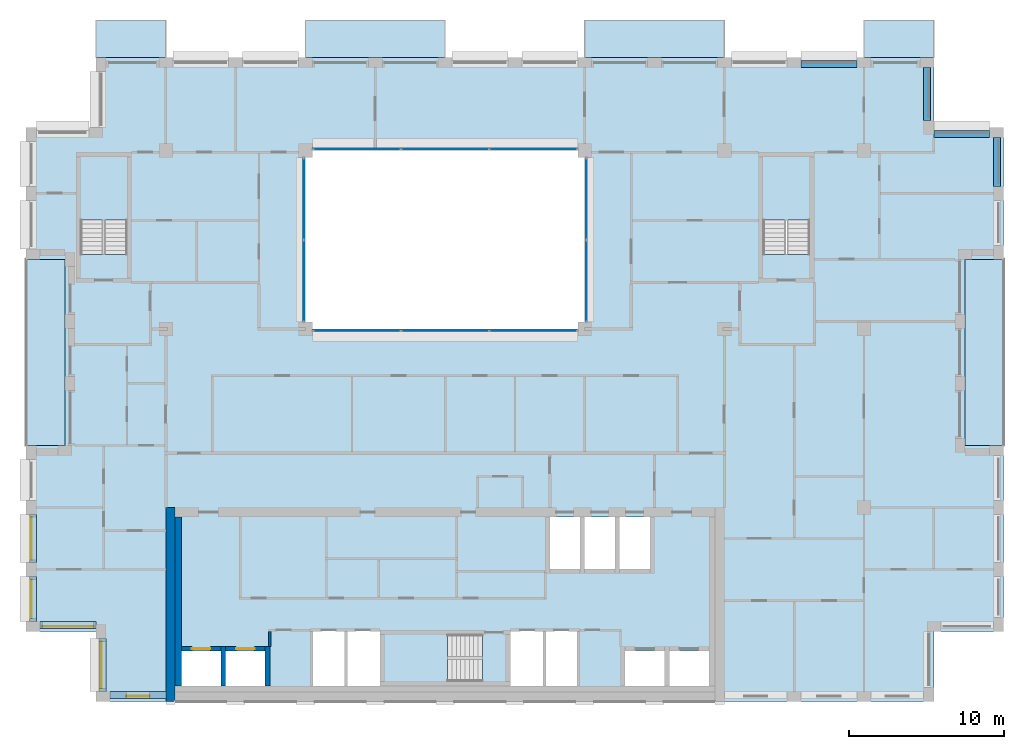
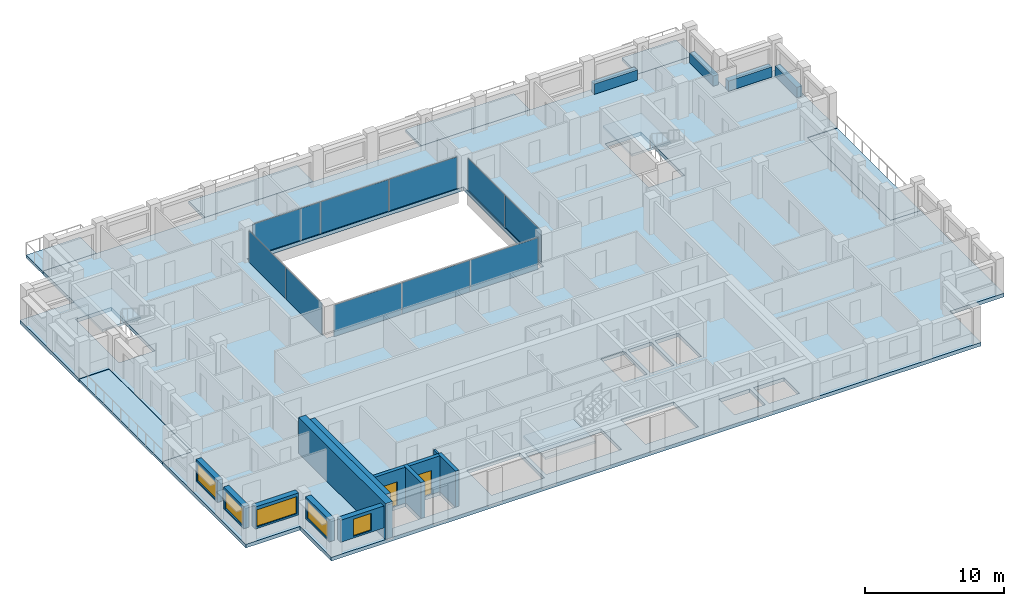
# One storey, part 7 of 15: 12 walls, 10 plates, 10 slabs, 5 windows, 4 beams, 2 doors, 7 openings, 7 elements without a shape of their own.
"""IFC4 building model written with IfcOpenShell, lengths in metres."""

from ifc_helpers import new_model, si_unit, direction, frame, frame_2d, origin, origin_2d, place, context, subcontext, project, spatial, polyline, rectangle, outline, extrude, material, layer, layer_set, material_profile, profile_set, type_object, element, fill, aggregate, save


model = new_model("IFC4")

# Units and contexts
model_context = context("Model", 3, precision=1e-05, world=origin(), true_north=direction((0.0, 1.0)))
body_context = subcontext(model_context, "Body", "Model", "MODEL_VIEW")
ifc_project = project(units=[si_unit("LENGTHUNIT", "METRE"), si_unit("AREAUNIT", "SQUARE_METRE"), si_unit("VOLUMEUNIT", "CUBIC_METRE"), si_unit("PLANEANGLEUNIT", "RADIAN"), si_unit("MASSUNIT", "GRAM", prefix="KILO")], contexts=[model_context])

# Site, building, storey
site_placement = place(None, origin())
site = spatial("IfcSite", under=ifc_project, at=site_placement, CompositionType="ELEMENT")
building_placement = place(site_placement, origin())
building = spatial("IfcBuilding", under=site, at=building_placement, Name="Brigalow Station Residences", CompositionType="ELEMENT")
storey_placement = place(building_placement, frame((0.0, 0.0, 226.35009765625)))
storey = spatial("IfcBuildingStorey", under=building, at=storey_placement, Name="L65", CompositionType="ELEMENT", Elevation=226.35009765625)

# Beams
ifc_material_1 = material(Name="Concrete C50", Category="concrete")
ifc_material_profile = material_profile(ifc_material_1, rectangle(XDim=0.449951171875, YDim=0.89990234375, at=origin_2d()), Name="RC450x900")
ifc_profile_set = profile_set([ifc_material_profile], Name="Concrete C50")
beam_type = type_object("IfcBeamType", Name="SPANDREL BEAM 450x900 C50", PredefinedType="SPANDREL", material=ifc_profile_set)
beam_1_placement = place(storey_placement, frame((71.574951171875, 33.199951171875, 0.449951171875), z_axis=(0.0, 1.0, 0.0), x_axis=(-1.0, 0.0, 0.0)))
element("IfcBeam", 1, at=beam_1_placement, inside=storey, type_object=beam_type, Name="L65/spandrel/W-L65-17", PredefinedType="SPANDREL", context=body_context, shape_type="SweptSolid", body=[
    extrude(rectangle(XDim=0.449951171875, YDim=0.89990234375, at=origin_2d()), origin(), (0.0, 0.0, 1.0), 3.150146484375),
])
beam_2_placement = place(storey_placement, frame((71.10009765625, 36.574951171875, 0.449951171875), z_axis=(-1.0, 0.0, 0.0), x_axis=(0.0, -1.0, 0.0)))
element("IfcBeam", 2, at=beam_2_placement, inside=storey, type_object=beam_type, Name="L65/spandrel/W-L65-18", PredefinedType="SPANDREL", context=body_context, shape_type="SweptSolid", body=[
    extrude(rectangle(XDim=0.449951171875, YDim=0.89990234375, at=origin_2d()), origin(), (0.0, 0.0, 1.0), 3.60009765625),
])
beam_3_placement = place(storey_placement, frame((67.074951171875, 37.449951171875, 0.449951171875), z_axis=(0.0, 1.0, 0.0), x_axis=(-1.0, 0.0, 0.0)))
element("IfcBeam", 3, at=beam_3_placement, inside=storey, type_object=beam_type, Name="L65/spandrel/W-L65-19", PredefinedType="SPANDREL", context=body_context, shape_type="SweptSolid", body=[
    extrude(rectangle(XDim=0.449951171875, YDim=0.89990234375, at=origin_2d()), origin(), (0.0, 0.0, 1.0), 3.400146484375),
])
beam_4_placement = place(storey_placement, frame((62.550048828125, 41.074951171875, 0.449951171875), z_axis=(-1.0, 0.0, 0.0), x_axis=(0.0, -1.0, 0.0)))
element("IfcBeam", 4, at=beam_4_placement, inside=storey, type_object=beam_type, Name="L65/spandrel/W-L65-21", PredefinedType="SPANDREL", context=body_context, shape_type="SweptSolid", body=[
    extrude(rectangle(XDim=0.449951171875, YDim=0.89990234375, at=origin_2d()), origin(), (0.0, 0.0, 1.0), 3.60009765625),
])

# Curtain wall, plates
ifc_material_2 = material(Name="Aluminium", Category="aluminium")
ifc_layer_1 = layer(ifc_material_2, 0.14990234375)
ifc_layer_set_1 = layer_set([ifc_layer_1], Name="ATRIUM FIRE-RATED GLAZING CURTAIN WALL")
curtain_wall_type = type_object("IfcCurtainWallType", Name="ATRIUM FIRE-RATED GLAZING CURTAIN WALL", PredefinedType="NOTDEFINED", material=ifc_layer_set_1)
curtain_wall_1_placement = place(storey_placement, origin())
curtain_wall_1 = element("IfcCurtainWall", 5, at=curtain_wall_1_placement, inside=storey, type_object=curtain_wall_type, Name="L65/cw/atrium-S", PredefinedType="NOTDEFINED")
ifc_material_3 = material(Name="Fire-resisting laminated glazing, FRL -/60/-", Category="glass")
ifc_layer_2 = layer(ifc_material_3, 0.031982421875)
ifc_layer_set_2 = layer_set([ifc_layer_2], Name="ATRIUM FIRE-RATED GLAZING PANEL 32")
plate_type = type_object("IfcPlateType", Name="ATRIUM FIRE-RATED GLAZING PANEL 32", PredefinedType="CURTAIN_PANEL", material=ifc_layer_set_2)
plate_1_placement = place(storey_placement, frame((30.31494140625, 23.89990234375, 0.0), z_axis=(0.0, 0.0, 1.0), x_axis=(1.0, 0.0, 0.0)))
plate_1 = element("IfcPlate", 6, at=plate_1_placement, type_object=plate_type, Name="L65/cw/atrium-S/P00-00", PredefinedType="CURTAIN_PANEL", context=body_context, shape_type="SweptSolid", body=[
    extrude(rectangle(XDim=5.610107421875, YDim=0.031982421875, at=origin_2d()), origin(), (0.0, 0.0, 1.0), 2.77001953125),
])
plate_2_placement = place(storey_placement, frame((36.0, 23.89990234375, 0.0), z_axis=(0.0, 0.0, 1.0), x_axis=(1.0, 0.0, 0.0)))
plate_2 = element("IfcPlate", 7, at=plate_2_placement, type_object=plate_type, Name="L65/cw/atrium-S/P01-00", PredefinedType="CURTAIN_PANEL", context=body_context, shape_type="SweptSolid", body=[
    extrude(rectangle(XDim=5.639892578125, YDim=0.031982421875, at=origin_2d()), origin(), (0.0, 0.0, 1.0), 2.77001953125),
])
plate_3_placement = place(storey_placement, frame((41.68505859375, 23.89990234375, 0.0), z_axis=(0.0, 0.0, 1.0), x_axis=(1.0, 0.0, 0.0)))
plate_3 = element("IfcPlate", 8, at=plate_3_placement, type_object=plate_type, Name="L65/cw/atrium-S/P02-00", PredefinedType="CURTAIN_PANEL", context=body_context, shape_type="SweptSolid", body=[
    extrude(rectangle(XDim=5.610107421875, YDim=0.031982421875, at=origin_2d()), origin(), (0.0, 0.0, 1.0), 2.77001953125),
])
aggregate(curtain_wall_1, [plate_1, plate_2, plate_3])

curtain_wall_2_placement = place(storey_placement, origin())
curtain_wall_2 = element("IfcCurtainWall", 9, at=curtain_wall_2_placement, inside=storey, type_object=curtain_wall_type, Name="L65/cw/atrium-E", PredefinedType="NOTDEFINED")
plate_4_placement = place(storey_placement, frame((45.10009765625, 27.114990234375, 0.0), z_axis=(0.0, 0.0, 1.0), x_axis=(0.0, 1.0, 0.0)))
plate_4 = element("IfcPlate", 10, at=plate_4_placement, type_object=plate_type, Name="L65/cw/atrium-E/P00-00", PredefinedType="CURTAIN_PANEL", context=body_context, shape_type="SweptSolid", body=[
    extrude(rectangle(XDim=5.2099609375, YDim=0.031982421875, at=origin_2d()), origin(), (0.0, 0.0, 1.0), 2.77001953125),
])
plate_5_placement = place(storey_placement, frame((45.10009765625, 32.385009765625, 0.0), z_axis=(0.0, 0.0, 1.0), x_axis=(0.0, 1.0, 0.0)))
plate_5 = element("IfcPlate", 11, at=plate_5_placement, type_object=plate_type, Name="L65/cw/atrium-E/P01-00", PredefinedType="CURTAIN_PANEL", context=body_context, shape_type="SweptSolid", body=[
    extrude(rectangle(XDim=5.2099609375, YDim=0.031982421875, at=origin_2d()), origin(), (0.0, 0.0, 1.0), 2.77001953125),
])
aggregate(curtain_wall_2, [plate_4, plate_5])

curtain_wall_3_placement = place(storey_placement, origin())
curtain_wall_3 = element("IfcCurtainWall", 12, at=curtain_wall_3_placement, inside=storey, type_object=curtain_wall_type, Name="L65/cw/atrium-N", PredefinedType="NOTDEFINED")
plate_6_placement = place(storey_placement, frame((41.68505859375, 35.60009765625, 0.0), z_axis=(0.0, 0.0, 1.0), x_axis=(-1.0, 0.0, 0.0)))
plate_6 = element("IfcPlate", 13, at=plate_6_placement, type_object=plate_type, Name="L65/cw/atrium-N/P00-00", PredefinedType="CURTAIN_PANEL", context=body_context, shape_type="SweptSolid", body=[
    extrude(rectangle(XDim=5.610107421875, YDim=0.031982421875, at=origin_2d()), origin(), (0.0, 0.0, 1.0), 2.77001953125),
])
plate_7_placement = place(storey_placement, frame((36.0, 35.60009765625, 0.0), z_axis=(0.0, 0.0, 1.0), x_axis=(-1.0, 0.0, 0.0)))
plate_7 = element("IfcPlate", 14, at=plate_7_placement, type_object=plate_type, Name="L65/cw/atrium-N/P01-00", PredefinedType="CURTAIN_PANEL", context=body_context, shape_type="SweptSolid", body=[
    extrude(rectangle(XDim=5.639892578125, YDim=0.031982421875, at=origin_2d()), origin(), (0.0, 0.0, 1.0), 2.77001953125),
])
plate_8_placement = place(storey_placement, frame((30.31494140625, 35.60009765625, 0.0), z_axis=(0.0, 0.0, 1.0), x_axis=(-1.0, 0.0, 0.0)))
plate_8 = element("IfcPlate", 15, at=plate_8_placement, type_object=plate_type, Name="L65/cw/atrium-N/P02-00", PredefinedType="CURTAIN_PANEL", context=body_context, shape_type="SweptSolid", body=[
    extrude(rectangle(XDim=5.610107421875, YDim=0.031982421875, at=origin_2d()), origin(), (0.0, 0.0, 1.0), 2.77001953125),
])
aggregate(curtain_wall_3, [plate_6, plate_7, plate_8])

curtain_wall_4_placement = place(storey_placement, origin())
curtain_wall_4 = element("IfcCurtainWall", 16, at=curtain_wall_4_placement, inside=storey, type_object=curtain_wall_type, Name="L65/cw/atrium-W", PredefinedType="NOTDEFINED")
plate_9_placement = place(storey_placement, frame((26.89990234375, 32.385009765625, 0.0), z_axis=(0.0, 0.0, 1.0), x_axis=(0.0, -1.0, 0.0)))
plate_9 = element("IfcPlate", 17, at=plate_9_placement, type_object=plate_type, Name="L65/cw/atrium-W/P00-00", PredefinedType="CURTAIN_PANEL", context=body_context, shape_type="SweptSolid", body=[
    extrude(rectangle(XDim=5.2099609375, YDim=0.031982421875, at=origin_2d()), origin(), (0.0, 0.0, 1.0), 2.77001953125),
])
plate_10_placement = place(storey_placement, frame((26.89990234375, 27.114990234375, 0.0), z_axis=(0.0, 0.0, 1.0), x_axis=(0.0, -1.0, 0.0)))
plate_10 = element("IfcPlate", 18, at=plate_10_placement, type_object=plate_type, Name="L65/cw/atrium-W/P01-00", PredefinedType="CURTAIN_PANEL", context=body_context, shape_type="SweptSolid", body=[
    extrude(rectangle(XDim=5.2099609375, YDim=0.031982421875, at=origin_2d()), origin(), (0.0, 0.0, 1.0), 2.77001953125),
])
aggregate(curtain_wall_4, [plate_9, plate_10])

# Slabs
ifc_material_4 = material(Name="Concrete C50 precast", Category="concrete")
ifc_layer_3 = layer(ifc_material_4, 0.25)
ifc_layer_set_3 = layer_set([ifc_layer_3], Name="BALCONY SLAB 250")
slab_type_1 = type_object("IfcSlabType", Name="BALCONY SLAB 250", PredefinedType="USERDEFINED", material=ifc_layer_set_3)
slab_1_placement = place(storey_placement, frame((0.0, 0.0, -0.2900390625)))
element("IfcSlab", 19, at=slab_1_placement, inside=storey, type_object=slab_type_1, Name="L65/balcony/1", ObjectType="BALCONY", PredefinedType="USERDEFINED", context=body_context, shape_type="SweptSolid", body=[
    extrude(outline(polyline([(69.5, 16.5), (72.0, 16.5), (72.0, 28.5), (69.5, 28.5), (69.5, 16.5)])), origin(), (0.0, 0.0, 1.0), 0.25),
])
slab_2_placement = place(storey_placement, frame((0.0, 0.0, -0.2900390625)))
element("IfcSlab", 20, at=slab_2_placement, inside=storey, type_object=slab_type_1, Name="L65/balcony/2", ObjectType="BALCONY", PredefinedType="USERDEFINED", context=body_context, shape_type="SweptSolid", body=[
    extrude(outline(polyline([(67.5, 41.5), (67.5, 43.89990234375), (63.0, 43.89990234375), (63.0, 41.5), (67.5, 41.5)])), origin(), (0.0, 0.0, 1.0), 0.25),
])
slab_3_placement = place(storey_placement, frame((0.0, 0.0, -0.2900390625)))
element("IfcSlab", 21, at=slab_3_placement, inside=storey, type_object=slab_type_1, Name="L65/balcony/3", ObjectType="BALCONY", PredefinedType="USERDEFINED", context=body_context, shape_type="SweptSolid", body=[
    extrude(outline(polyline([(54.0, 41.5), (54.0, 43.89990234375), (45.0, 43.89990234375), (45.0, 41.5), (54.0, 41.5)])), origin(), (0.0, 0.0, 1.0), 0.25),
])
slab_4_placement = place(storey_placement, frame((0.0, 0.0, -0.2900390625)))
element("IfcSlab", 22, at=slab_4_placement, inside=storey, type_object=slab_type_1, Name="L65/balcony/4", ObjectType="BALCONY", PredefinedType="USERDEFINED", context=body_context, shape_type="SweptSolid", body=[
    extrude(outline(polyline([(36.0, 41.5), (36.0, 43.89990234375), (27.0, 43.89990234375), (27.0, 41.5), (36.0, 41.5)])), origin(), (0.0, 0.0, 1.0), 0.25),
])
slab_5_placement = place(storey_placement, frame((0.0, 0.0, -0.2900390625)))
element("IfcSlab", 23, at=slab_5_placement, inside=storey, type_object=slab_type_1, Name="L65/balcony/5", ObjectType="BALCONY", PredefinedType="USERDEFINED", context=body_context, shape_type="SweptSolid", body=[
    extrude(outline(polyline([(18.0, 41.5), (18.0, 43.89990234375), (13.5, 43.89990234375), (13.5, 41.5), (18.0, 41.5)])), origin(), (0.0, 0.0, 1.0), 0.25),
])
slab_6_placement = place(storey_placement, frame((0.0, 0.0, -0.2900390625)))
element("IfcSlab", 24, at=slab_6_placement, inside=storey, type_object=slab_type_1, Name="L65/balcony/6", ObjectType="BALCONY", PredefinedType="USERDEFINED", context=body_context, shape_type="SweptSolid", body=[
    extrude(outline(polyline([(11.5, 28.5), (9.0, 28.5), (9.0, 16.5), (11.5, 16.5), (11.5, 28.5)])), origin(), (0.0, 0.0, 1.0), 0.25),
])
ifc_material_5 = material(Name="Concrete C50", Category="concrete")
ifc_layer_4 = layer(ifc_material_5, 0.320068359375)
ifc_layer_set_4 = layer_set([ifc_layer_4], Name="POST-TENSIONED FLAT PLATE 320 C50")
slab_type_2 = type_object("IfcSlabType", Name="POST-TENSIONED FLAT PLATE 320 C50", PredefinedType="FLOOR", material=ifc_layer_set_4)
slab_7_placement = place(storey_placement, frame((0.0, 0.0, -0.320068359375)))
element("IfcSlab", 25, at=slab_7_placement, inside=storey, type_object=slab_type_2, Name="FLOOR SLAB L65", PredefinedType="FLOOR", context=body_context, shape_type="SweptSolid", body=[
    extrude(outline(polyline([(13.5, 0.0), (67.5, 0.0), (67.5, 4.5), (72.0, 4.5), (72.0, 16.5), (69.5, 16.5), (69.5, 28.5), (72.0, 28.5), (72.0, 37.0), (67.5, 37.0), (67.5, 41.5), (13.5, 41.5), (13.5, 37.0), (9.0, 37.0), (9.0, 28.5), (11.5, 28.5), (11.5, 16.5), (9.0, 16.5), (9.0, 4.5), (13.5, 4.5), (13.5, 0.0)]), holes=[polyline([(12.5048828125, 35.094970703125), (15.4951171875, 35.094970703125), (15.4951171875, 28.804931640625), (12.5048828125, 28.804931640625), (12.5048828125, 35.094970703125)]), polyline([(19.0, 1.0), (19.0, 3.25), (21.550048828125, 3.25), (21.550048828125, 1.0), (19.0, 1.0)]), polyline([(21.85009765625, 3.25), (24.39990234375, 3.25), (24.39990234375, 1.0), (21.85009765625, 1.0), (21.85009765625, 3.25)]), polyline([(27.0, 35.5), (45.0, 35.5), (45.0, 24.0), (27.0, 24.0), (27.0, 35.5)]), polyline([(29.60009765625, 4.60009765625), (31.800048828125, 4.60009765625), (31.800048828125, 1.0), (29.60009765625, 1.0), (27.39990234375, 1.0), (27.39990234375, 4.60009765625), (29.60009765625, 4.60009765625)]), polyline([(32.10498046875, 4.294921875), (38.39501953125, 4.294921875), (38.39501953125, 1.304931640625), (32.10498046875, 1.304931640625), (32.10498046875, 4.294921875)]), polyline([(40.199951171875, 4.60009765625), (42.39990234375, 4.60009765625), (44.60009765625, 4.60009765625), (44.60009765625, 1.0), (42.39990234375, 1.0), (40.199951171875, 1.0), (40.199951171875, 4.60009765625)]), polyline([(42.75, 11.89990234375), (44.699951171875, 11.89990234375), (44.699951171875, 8.550048828125), (42.75, 8.550048828125), (42.75, 11.89990234375)]), polyline([(45.0, 11.89990234375), (46.949951171875, 11.89990234375), (46.949951171875, 8.550048828125), (45.0, 8.550048828125), (45.0, 11.89990234375)]), polyline([(47.25, 11.89990234375), (49.199951171875, 11.89990234375), (49.199951171875, 8.550048828125), (47.25, 8.550048828125), (47.25, 11.89990234375)]), polyline([(47.60009765625, 3.25), (50.14990234375, 3.25), (50.14990234375, 1.0), (47.60009765625, 1.0), (47.60009765625, 3.25)]), polyline([(50.449951171875, 3.25), (53.0, 3.25), (53.0, 1.0), (50.449951171875, 1.0), (50.449951171875, 3.25)]), polyline([(56.5048828125, 35.094970703125), (59.4951171875, 35.094970703125), (59.4951171875, 28.804931640625), (56.5048828125, 28.804931640625), (56.5048828125, 35.094970703125)])]), origin(), (0.0, 0.0, 1.0), 0.320068359375),
])

# Stair, slab
ifc_material_6 = material(Name="Concrete C50", Category="concrete")
stair_type = type_object("IfcStairType", Name="EXIT STAIR 1400 2 FLIGHT", PredefinedType="HALF_TURN_STAIR", material=ifc_material_6)
stair_1_placement = place(storey_placement, origin())
stair_1 = element("IfcStair", 26, at=stair_1_placement, inside=storey, type_object=stair_type, Name="EXIT STAIR S2 L65", PredefinedType="HALF_TURN_STAIR")
ifc_material_7 = material(Name="Concrete C50", Category="concrete")
ifc_layer_5 = layer(ifc_material_7, 0.199951171875)
ifc_layer_set_5 = layer_set([ifc_layer_5], Name="STAIR LANDING 200")
slab_type_3 = type_object("IfcSlabType", Name="STAIR LANDING 200", PredefinedType="LANDING", material=ifc_layer_set_5)
slab_8_placement = place(storey_placement, frame((0.0, 0.0, 1.375)))
slab_8 = element("IfcSlab", 27, at=slab_8_placement, type_object=slab_type_3, Name="ST-2 landing 1", PredefinedType="LANDING", context=body_context, shape_type="SweptSolid", body=[
    extrude(outline(polyline([(32.0, 1.199951171875), (36.159912109375, 1.199951171875), (36.159912109375, 4.39990234375), (32.0, 4.39990234375), (32.0, 1.199951171875)])), origin(), (0.0, 0.0, 1.0), 0.199951171875),
])
aggregate(stair_1, [slab_8])

stair_2_placement = place(storey_placement, origin())
stair_2 = element("IfcStair", 28, at=stair_2_placement, inside=storey, type_object=stair_type, Name="EXIT STAIR S1 L65", PredefinedType="HALF_TURN_STAIR")
slab_9_placement = place(storey_placement, frame((0.0, 0.0, 1.375)))
slab_9 = element("IfcSlab", 29, at=slab_9_placement, type_object=slab_type_3, Name="ST-1 landing 1", PredefinedType="LANDING", context=body_context, shape_type="SweptSolid", body=[
    extrude(outline(polyline([(12.39990234375, 31.0400390625), (15.60009765625, 31.0400390625), (15.60009765625, 35.199951171875), (12.39990234375, 35.199951171875), (12.39990234375, 31.0400390625)])), origin(), (0.0, 0.0, 1.0), 0.199951171875),
])
aggregate(stair_2, [slab_9])

stair_3_placement = place(storey_placement, origin())
stair_3 = element("IfcStair", 30, at=stair_3_placement, inside=storey, type_object=stair_type, Name="EXIT STAIR S3 L65", PredefinedType="HALF_TURN_STAIR")
slab_10_placement = place(storey_placement, frame((0.0, 0.0, 1.375)))
slab_10 = element("IfcSlab", 31, at=slab_10_placement, type_object=slab_type_3, Name="ST-3 landing 1", PredefinedType="LANDING", context=body_context, shape_type="SweptSolid", body=[
    extrude(outline(polyline([(56.39990234375, 31.0400390625), (59.60009765625, 31.0400390625), (59.60009765625, 35.199951171875), (56.39990234375, 35.199951171875), (56.39990234375, 31.0400390625)])), origin(), (0.0, 0.0, 1.0), 0.199951171875),
])
aggregate(stair_3, [slab_10])

# Wall, opening, window
ifc_material_8 = material(Name="Clay brick masonry", Category="masonry")
ifc_layer_6 = layer(ifc_material_8, 0.449951171875)
ifc_layer_set_6 = layer_set([ifc_layer_6], Name="BRICK INFILL WALL 450")
wall_type_1 = type_object("IfcWallType", Name="BRICK INFILL WALL 450", PredefinedType="SOLIDWALL", material=ifc_layer_set_6)
wall_1_placement = place(storey_placement, frame((14.39990234375, 0.425048828125, 0.89990234375), z_axis=(0.0, 0.0, 1.0), x_axis=(1.0, 0.0, 0.0)))
wall_1 = element("IfcWall", 32, at=wall_1_placement, inside=storey, type_object=wall_type_1, Name="L65/ewall/W-L65-1", PredefinedType="SOLIDWALL", context=body_context, shape_type="SweptSolid", body=[
    extrude(rectangle(XDim=3.60009765625, YDim=0.449951171875, at=frame_2d((1.800048828125, 0.0))), origin(), (0.0, 0.0, 1.0), 1.929931640625),
])
opening_1_placement = place(wall_1_placement, frame((1.050048828125, 0.0, 0.14990234375)))
opening_1 = element("IfcOpeningElement", 33, at=opening_1_placement, cuts=wall_1, Name="Opening WT-1", PredefinedType="OPENING", context=body_context, shape_type="SweptSolid", body=[
    extrude(rectangle(XDim=1.5, YDim=1.5, at=frame_2d((0.75, 0.75))), frame((0.0, 0.23486328125, 0.0), z_axis=(0.0, -1.0, 0.0), x_axis=(1.0, 0.0, 0.0)), (0.0, 0.0, 1.0), 0.469970703125),
])
ifc_material_9 = material(Name="Anodised aluminium frame with double glazing", Category="aluminium")
window_type_1 = type_object("IfcWindowType", Name="WINDOW 1500x1500", PartitioningType="SINGLE_PANEL", PredefinedType="WINDOW", material=ifc_material_9)
window_1_placement = place(opening_1_placement, origin())
window_1 = element("IfcWindow", 34, at=window_1_placement, inside=storey, type_object=window_type_1, Name="L65/window/W-L65-1", OverallHeight=1.5, OverallWidth=1.5, PartitioningType="SINGLE_PANEL", PredefinedType="WINDOW", context=body_context, shape_type="SweptSolid", body=[
    extrude(rectangle(XDim=1.5, YDim=1.5, at=frame_2d((0.75, 0.75))), frame((0.0, -0.06494140625, 0.0), z_axis=(0.0, -1.0, 0.0), x_axis=(1.0, 0.0, 0.0)), (0.0, 0.0, 1.0), 0.06005859375),
])
fill(opening_1, window_1)

wall_2_placement = place(storey_placement, frame((9.425048828125, 12.050048828125, 0.89990234375), z_axis=(0.0, 0.0, 1.0), x_axis=(0.0, -1.0, 0.0)))
wall_2 = element("IfcWall", 35, at=wall_2_placement, inside=storey, type_object=wall_type_1, Name="L65/ewall/W-L65-42", PredefinedType="SOLIDWALL", context=body_context, shape_type="SweptSolid", body=[
    extrude(rectangle(XDim=3.10009765625, YDim=0.449951171875, at=frame_2d((1.550048828125, 0.0))), origin(), (0.0, 0.0, 1.0), 1.929931640625),
])
opening_2_placement = place(wall_2_placement, frame((0.175048828125, 0.0, 0.14990234375)))
opening_2 = element("IfcOpeningElement", 36, at=opening_2_placement, cuts=wall_2, Name="Opening WT-3", PredefinedType="OPENING", context=body_context, shape_type="SweptSolid", body=[
    extrude(rectangle(XDim=2.75, YDim=1.5, at=frame_2d((1.375, 0.75))), frame((0.0, 0.23486328125, 0.0), z_axis=(0.0, -1.0, 0.0), x_axis=(1.0, 0.0, 0.0)), (0.0, 0.0, 1.0), 0.469970703125),
])
ifc_material_10 = material(Name="Anodised aluminium frame with double glazing", Category="aluminium")
window_type_2 = type_object("IfcWindowType", Name="WINDOW 2750x1500", PartitioningType="SINGLE_PANEL", PredefinedType="WINDOW", material=ifc_material_10)
window_2_placement = place(opening_2_placement, origin())
window_2 = element("IfcWindow", 37, at=window_2_placement, inside=storey, type_object=window_type_2, Name="L65/window/W-L65-42", OverallHeight=1.5, OverallWidth=2.75, PartitioningType="SINGLE_PANEL", PredefinedType="WINDOW", context=body_context, shape_type="SweptSolid", body=[
    extrude(rectangle(XDim=2.75, YDim=1.5, at=frame_2d((1.375, 0.75))), frame((0.0, -0.06494140625, 0.0), z_axis=(0.0, -1.0, 0.0), x_axis=(1.0, 0.0, 0.0)), (0.0, 0.0, 1.0), 0.06005859375),
])
fill(opening_2, window_2)

wall_3_placement = place(storey_placement, frame((9.425048828125, 8.050048828125, 0.89990234375), z_axis=(0.0, 0.0, 1.0), x_axis=(0.0, -1.0, 0.0)))
wall_3 = element("IfcWall", 38, at=wall_3_placement, inside=storey, type_object=wall_type_1, Name="L65/ewall/W-L65-43", PredefinedType="SOLIDWALL", context=body_context, shape_type="SweptSolid", body=[
    extrude(rectangle(XDim=2.900146484375, YDim=0.449951171875, at=frame_2d((1.4501953125, 0.0))), origin(), (0.0, 0.0, 1.0), 1.929931640625),
])
opening_3_placement = place(wall_3_placement, frame((0.199951171875, 0.0, 0.14990234375)))
opening_3 = element("IfcOpeningElement", 39, at=opening_3_placement, cuts=wall_3, Name="Opening WT-5", PredefinedType="OPENING", context=body_context, shape_type="SweptSolid", body=[
    extrude(rectangle(XDim=2.5, YDim=1.5, at=frame_2d((1.25, 0.75))), frame((0.0, 0.23486328125, 0.0), z_axis=(0.0, -1.0, 0.0), x_axis=(1.0, 0.0, 0.0)), (0.0, 0.0, 1.0), 0.469970703125),
])
ifc_material_11 = material(Name="Anodised aluminium frame with double glazing", Category="aluminium")
window_type_3 = type_object("IfcWindowType", Name="WINDOW 2500x1500", PartitioningType="SINGLE_PANEL", PredefinedType="WINDOW", material=ifc_material_11)
window_3_placement = place(opening_3_placement, origin())
window_3 = element("IfcWindow", 40, at=window_3_placement, inside=storey, type_object=window_type_3, Name="L65/window/W-L65-43", OverallHeight=1.5, OverallWidth=2.5, PartitioningType="SINGLE_PANEL", PredefinedType="WINDOW", context=body_context, shape_type="SweptSolid", body=[
    extrude(rectangle(XDim=2.5, YDim=1.5, at=frame_2d((1.25, 0.75))), frame((0.0, -0.06494140625, 0.0), z_axis=(0.0, -1.0, 0.0), x_axis=(1.0, 0.0, 0.0)), (0.0, 0.0, 1.0), 0.06005859375),
])
fill(opening_3, window_3)

wall_4_placement = place(storey_placement, frame((9.89990234375, 4.925048828125, 0.89990234375), z_axis=(0.0, 0.0, 1.0), x_axis=(1.0, 0.0, 0.0)))
wall_4 = element("IfcWall", 41, at=wall_4_placement, inside=storey, type_object=wall_type_1, Name="L65/ewall/W-L65-44", PredefinedType="SOLIDWALL", context=body_context, shape_type="SweptSolid", body=[
    extrude(rectangle(XDim=3.60009765625, YDim=0.449951171875, at=frame_2d((1.800048828125, 0.0))), origin(), (0.0, 0.0, 1.0), 1.929931640625),
])
opening_4_placement = place(wall_4_placement, frame((0.14990234375, 0.0, 0.14990234375)))
opening_4 = element("IfcOpeningElement", 42, at=opening_4_placement, cuts=wall_4, Name="Opening WT-10", PredefinedType="OPENING", context=body_context, shape_type="SweptSolid", body=[
    extrude(rectangle(XDim=3.300048828125, YDim=1.5, at=frame_2d((1.64990234375, 0.75))), frame((0.0, 0.23486328125, 0.0), z_axis=(0.0, -1.0, 0.0), x_axis=(1.0, 0.0, 0.0)), (0.0, 0.0, 1.0), 0.469970703125),
])
ifc_material_12 = material(Name="Anodised aluminium frame with double glazing", Category="aluminium")
window_type_4 = type_object("IfcWindowType", Name="WINDOW 3300x1500", PartitioningType="SINGLE_PANEL", PredefinedType="WINDOW", material=ifc_material_12)
window_4_placement = place(opening_4_placement, origin())
window_4 = element("IfcWindow", 43, at=window_4_placement, inside=storey, type_object=window_type_4, Name="L65/window/W-L65-44", OverallHeight=1.5, OverallWidth=3.300048828125, PartitioningType="SINGLE_PANEL", PredefinedType="WINDOW", context=body_context, shape_type="SweptSolid", body=[
    extrude(rectangle(XDim=3.300048828125, YDim=1.5, at=frame_2d((1.64990234375, 0.75))), frame((0.0, -0.06494140625, 0.0), z_axis=(0.0, -1.0, 0.0), x_axis=(1.0, 0.0, 0.0)), (0.0, 0.0, 1.0), 0.06005859375),
])
fill(opening_4, window_4)

wall_5_placement = place(storey_placement, frame((13.925048828125, 4.050048828125, 0.89990234375), z_axis=(0.0, 0.0, 1.0), x_axis=(0.0, -1.0, 0.0)))
wall_5 = element("IfcWall", 44, at=wall_5_placement, inside=storey, type_object=wall_type_1, Name="L65/ewall/W-L65-45", PredefinedType="SOLIDWALL", context=body_context, shape_type="SweptSolid", body=[
    extrude(rectangle(XDim=3.400146484375, YDim=0.449951171875, at=frame_2d((1.7001953125, 0.0))), origin(), (0.0, 0.0, 1.0), 1.929931640625),
])
opening_5_placement = place(wall_5_placement, frame((0.199951171875, 0.0, 0.14990234375)))
opening_5 = element("IfcOpeningElement", 45, at=opening_5_placement, cuts=wall_5, Name="Opening WT-2", PredefinedType="OPENING", context=body_context, shape_type="SweptSolid", body=[
    extrude(rectangle(XDim=3.0, YDim=1.5, at=frame_2d((1.5, 0.75))), frame((0.0, 0.23486328125, 0.0), z_axis=(0.0, -1.0, 0.0), x_axis=(1.0, 0.0, 0.0)), (0.0, 0.0, 1.0), 0.469970703125),
])
ifc_material_13 = material(Name="Anodised aluminium frame with double glazing", Category="aluminium")
window_type_5 = type_object("IfcWindowType", Name="WINDOW 3000x1500", PartitioningType="SINGLE_PANEL", PredefinedType="WINDOW", material=ifc_material_13)
window_5_placement = place(opening_5_placement, origin())
window_5 = element("IfcWindow", 46, at=window_5_placement, inside=storey, type_object=window_type_5, Name="L65/window/W-L65-45", OverallHeight=1.5, OverallWidth=3.0, PartitioningType="SINGLE_PANEL", PredefinedType="WINDOW", context=body_context, shape_type="SweptSolid", body=[
    extrude(rectangle(XDim=3.0, YDim=1.5, at=frame_2d((1.5, 0.75))), frame((0.0, -0.06494140625, 0.0), z_axis=(0.0, -1.0, 0.0), x_axis=(1.0, 0.0, 0.0)), (0.0, 0.0, 1.0), 0.06005859375),
])
fill(opening_5, window_5)

# Wall, opening, door
ifc_material_14 = material(Name="Concrete C50", Category="concrete")
ifc_layer_7 = layer(ifc_material_14, 0.300048828125)
ifc_layer_set_7 = layer_set([ifc_layer_7], Name="CORE SHEAR WALL 300 C50")
wall_type_2 = type_object("IfcWallType", Name="CORE SHEAR WALL 300 C50", PredefinedType="SHEAR", material=ifc_layer_set_7)
wall_6_placement = place(storey_placement, frame((19.0, 3.39990234375, 0.0), z_axis=(0.0, 0.0, 1.0), x_axis=(1.0, 0.0, 0.0)))
wall_6 = element("IfcWall", 47, at=wall_6_placement, inside=storey, type_object=wall_type_2, Name="CORE WALL SH-C1-N L65", PredefinedType="SHEAR", context=body_context, shape_type="SweptSolid", body=[
    extrude(rectangle(XDim=2.550048828125, YDim=0.300048828125, at=frame_2d((1.27490234375, 0.0))), origin(), (0.0, 0.0, 1.0), 3.14990234375),
])
opening_6_placement = place(wall_6_placement, frame((0.675048828125, 0.0, 0.0)))
opening_6 = element("IfcOpeningElement", 48, at=opening_6_placement, cuts=wall_6, Name="Opening LD-LB1", PredefinedType="OPENING", context=body_context, shape_type="SweptSolid", body=[
    extrude(rectangle(XDim=1.199951171875, YDim=2.10009765625, at=frame_2d((0.60009765625, 1.050048828125))), frame((0.0, 0.16015625, 0.0), z_axis=(0.0, -1.0, 0.0), x_axis=(1.0, 0.0, 0.0)), (0.0, 0.0, 1.0), 0.320068359375),
])
ifc_material_15 = material(Name="Stainless steel sliding door leaves", Category="steel")
door_type = type_object("IfcDoorType", Name="LIFT LANDING DOOR 1200 x 2100", OperationType="DOUBLE_DOOR_SLIDING", PredefinedType="DOOR", material=ifc_material_15)
door_1_placement = place(opening_6_placement, origin())
door_1 = element("IfcDoor", 49, at=door_1_placement, inside=storey, type_object=door_type, Name="LANDING DOOR LB1", OperationType="DOUBLE_DOOR_SLIDING", OverallHeight=2.10009765625, OverallWidth=1.199951171875, PredefinedType="DOOR", context=body_context, shape_type="SweptSolid", body=[
    extrude(rectangle(XDim=1.199951171875, YDim=2.10009765625, at=frame_2d((0.60009765625, 1.050048828125))), frame((0.0, 0.02490234375, 0.0), z_axis=(0.0, -1.0, 0.0), x_axis=(1.0, 0.0, 0.0)), (0.0, 0.0, 1.0), 0.050048828125),
])
fill(opening_6, door_1)

wall_7_placement = place(storey_placement, frame((21.85009765625, 3.39990234375, 0.0), z_axis=(0.0, 0.0, 1.0), x_axis=(1.0, 0.0, 0.0)))
wall_7 = element("IfcWall", 50, at=wall_7_placement, inside=storey, type_object=wall_type_2, Name="CORE WALL SH-C2-N L65", PredefinedType="SHEAR", context=body_context, shape_type="SweptSolid", body=[
    extrude(rectangle(XDim=2.5498046875, YDim=0.300048828125, at=frame_2d((1.27490234375, 0.0))), origin(), (0.0, 0.0, 1.0), 3.14990234375),
])
opening_7_placement = place(wall_7_placement, frame((0.675048828125, 0.0, 0.0)))
opening_7 = element("IfcOpeningElement", 51, at=opening_7_placement, cuts=wall_7, Name="Opening LD-LB2", PredefinedType="OPENING", context=body_context, shape_type="SweptSolid", body=[
    extrude(rectangle(XDim=1.199951171875, YDim=2.10009765625, at=frame_2d((0.60009765625, 1.050048828125))), frame((0.0, 0.16015625, 0.0), z_axis=(0.0, -1.0, 0.0), x_axis=(1.0, 0.0, 0.0)), (0.0, 0.0, 1.0), 0.320068359375),
])
door_2_placement = place(opening_7_placement, origin())
door_2 = element("IfcDoor", 52, at=door_2_placement, inside=storey, type_object=door_type, Name="LANDING DOOR LB2", OperationType="DOUBLE_DOOR_SLIDING", OverallHeight=2.10009765625, OverallWidth=1.199951171875, PredefinedType="DOOR", context=body_context, shape_type="SweptSolid", body=[
    extrude(rectangle(XDim=1.199951171875, YDim=2.10009765625, at=frame_2d((0.60009765625, 1.050048828125))), frame((0.0, 0.02490234375, 0.0), z_axis=(0.0, -1.0, 0.0), x_axis=(1.0, 0.0, 0.0)), (0.0, 0.0, 1.0), 0.050048828125),
])
fill(opening_7, door_2)

# Walls
for number, where, z_axis, x_axis, name in (
    (53, (21.699951171875, 1.0, 0.0), (0.0, 0.0, 1.0), (0.0, 1.0, 0.0), "CORE WALL SH-C2-W L65"),
    (54, (24.550048828125, 1.0, 0.0), (0.0, 0.0, 1.0), (0.0, 1.0, 0.0), "CORE WALL SH-C2-E L65"),
):
    element("IfcWall", number, at=place(storey_placement, frame(where, z_axis=z_axis, x_axis=x_axis)), inside=storey, type_object=wall_type_2, Name=name, PredefinedType="SHEAR", context=body_context, shape_type="SweptSolid", body=[
        extrude(rectangle(XDim=2.550048828125, YDim=0.300048828125, at=frame_2d((1.27490234375, 0.0))), origin(), (0.0, 0.0, 1.0), 3.14990234375),
    ])
ifc_material_16 = material(Name="Concrete C50", Category="concrete")
ifc_layer_8 = layer(ifc_material_16, 0.39990234375)
ifc_layer_set_8 = layer_set([ifc_layer_8], Name="CORE SHEAR WALL 400 C50")
wall_type_3 = type_object("IfcWallType", Name="CORE SHEAR WALL 400 C50", PredefinedType="SHEAR", material=ifc_layer_set_8)
wall_8_placement = place(storey_placement, frame((18.800048828125, 1.0, 0.0), z_axis=(0.0, 0.0, 1.0), x_axis=(0.0, 1.0, 0.0)))
element("IfcWall", 55, at=wall_8_placement, inside=storey, type_object=wall_type_3, Name="CORE WALL LIN-W L65", PredefinedType="SHEAR", context=body_context, shape_type="SweptSolid", body=[
    extrude(rectangle(XDim=10.89990234375, YDim=0.39990234375, at=frame_2d((5.449951171875, 0.0))), origin(), (0.0, 0.0, 1.0), 3.14990234375),
])
ifc_material_17 = material(Name="Concrete C50", Category="concrete")
ifc_layer_9 = layer(ifc_material_17, 0.60009765625)
ifc_layer_set_9 = layer_set([ifc_layer_9], Name="CORE SHEAR WALL 600 C50")
wall_type_4 = type_object("IfcWallType", Name="CORE SHEAR WALL 600 C50", PredefinedType="SHEAR", material=ifc_layer_set_9)
wall_9_placement = place(storey_placement, frame((18.300048828125, 0.0, 0.0), z_axis=(0.0, 0.0, 1.0), x_axis=(0.0, 1.0, 0.0)))
element("IfcWall", 56, at=wall_9_placement, inside=storey, type_object=wall_type_4, Name="CORE WALL OUT-W L65", PredefinedType="SHEAR", context=body_context, shape_type="SweptSolid", body=[
    extrude(rectangle(XDim=12.5, YDim=0.60009765625, at=frame_2d((6.25, 0.0))), origin(), (0.0, 0.0, 1.0), 3.14990234375),
])
ifc_material_18 = material(Name="Plasterboard on steel studs", Category="steel")
ifc_layer_10 = layer(ifc_material_18, 0.14990234375)
ifc_layer_set_10 = layer_set([ifc_layer_10], Name="SERVICE ROOM PARTITION 150")
wall_type_5 = type_object("IfcWallType", Name="SERVICE ROOM PARTITION 150", PredefinedType="PARTITIONING", material=ifc_layer_set_10)
wall_10_placement = place(storey_placement, frame((24.699951171875, 3.550048828125, 0.0), z_axis=(0.0, 0.0, 1.0), x_axis=(0.0, 1.0, 0.0)))
element("IfcWall", 57, at=wall_10_placement, inside=storey, type_object=wall_type_5, Name="PW-5157", PredefinedType="PARTITIONING", context=body_context, shape_type="SweptSolid", body=[
    extrude(rectangle(XDim=0.974853515625, YDim=0.14990234375, at=frame_2d((0.4873046875, 0.0))), origin(), (0.0, 0.0, 1.0), 2.829833984375),
])

save(model, "model.ifc")
